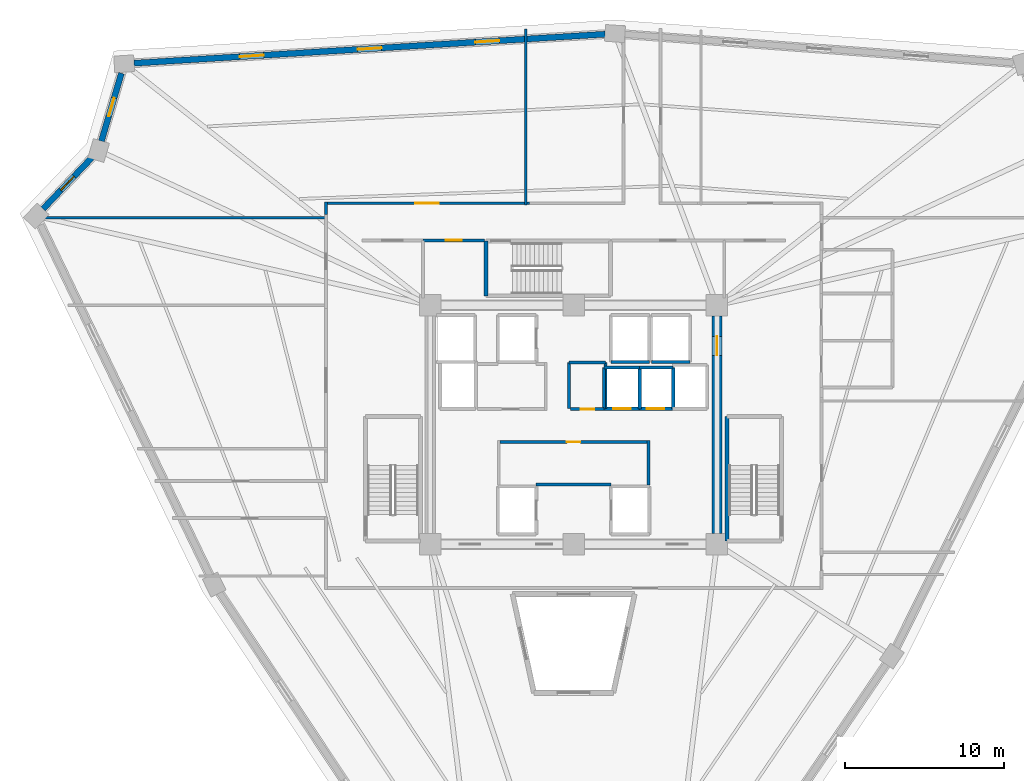
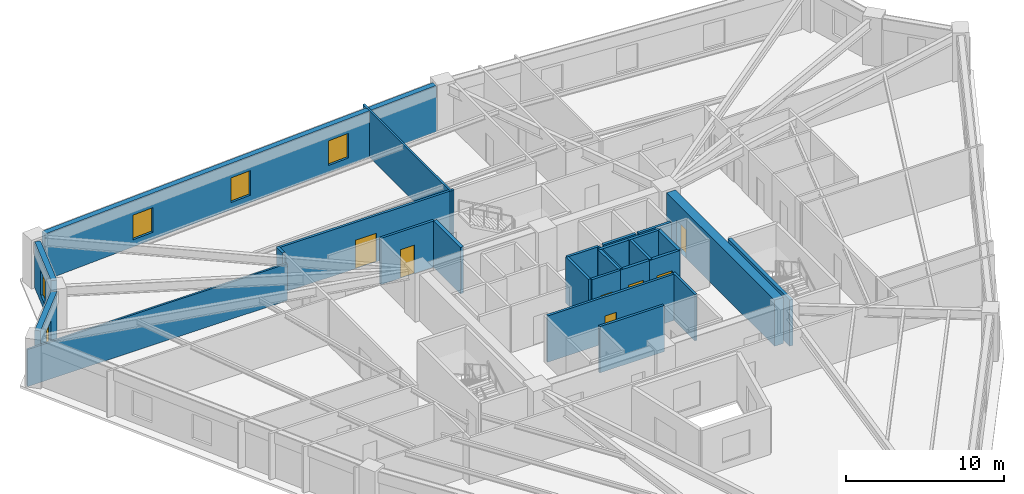
# One storey, part 5 of 8: 27 walls, 7 doors, 5 windows, 12 openings.
"""IFC4 building model written with IfcOpenShell, lengths in metres."""

from ifc_helpers import new_model, si_unit, direction, frame, frame_2d, origin, place, context, subcontext, project, spatial, rectangle, extrude, source, transform, mapped, material, layer, layer_set, type_object, element, fill, save


model = new_model("IFC4")

# Units and contexts
model_context = context("Model", 3, precision=1e-05, world=origin(), true_north=direction((0.0, 1.0)))
body_context = subcontext(model_context, "Body", "Model", "MODEL_VIEW")
ifc_project = project(units=[si_unit("LENGTHUNIT", "METRE"), si_unit("AREAUNIT", "SQUARE_METRE"), si_unit("VOLUMEUNIT", "CUBIC_METRE"), si_unit("PLANEANGLEUNIT", "RADIAN"), si_unit("MASSUNIT", "GRAM", prefix="KILO")], contexts=[model_context])

# Site, building, storey
site_placement = place(None, origin())
site = spatial("IfcSite", under=ifc_project, at=site_placement, CompositionType="ELEMENT")
building_placement = place(site_placement, origin())
building = spatial("IfcBuilding", under=site, at=building_placement, Name="Liaohun Quay Tower", CompositionType="ELEMENT")
storey_placement = place(building_placement, frame((0.0, 0.0, 201.75)))
storey = spatial("IfcBuildingStorey", under=building, at=storey_placement, Name="L52", CompositionType="ELEMENT", Elevation=201.75)

# Wall, opening, door
ifc_material_1 = material(Name="Concrete C55", Category="concrete")
ifc_layer_1 = layer(ifc_material_1, 0.64990234375, Name="Concrete C55", Category="concrete")
ifc_layer_set_1 = layer_set([ifc_layer_1], Name="Concrete C55")
wall_type_1 = type_object("IfcWallType", Name="WAL-COR-Z3", PredefinedType="SHEAR", material=ifc_layer_set_1)
wall_1_placement = place(storey_placement, frame((69.0, 60.824951171875, 0.0), z_axis=(0.0, 0.0, 1.0), x_axis=(0.0, -1.0, 0.0)))
wall_1 = element("IfcWall", 1, at=wall_1_placement, inside=storey, type_object=wall_type_1, Name="L52 Central Core Shear Wall E", PredefinedType="SHEAR", context=body_context, shape_type="SweptSolid", body=[
    extrude(rectangle(XDim=13.64990234375, YDim=0.64990234375, at=frame_2d((6.824951171875, 0.0))), origin(), (0.0, 0.0, 1.0), 3.570068359375),
])
shared_shape_1 = source(origin(), body_context, "Body", "SweptSolid", [
    extrude(rectangle(XDim=1.199951171875, YDim=2.199951171875, at=frame_2d((0.60009765625, 1.10009765625))), frame((0.0, 0.3349609375, 0.0), z_axis=(0.0, -1.0, 0.0), x_axis=(1.0, 0.0, 0.0)), (0.0, 0.0, 1.0), 0.669921875),
])
opening_1_placement = place(wall_1_placement, frame((1.27490234375, 0.0, 0.0)))
opening_1 = element("IfcOpeningElement", 2, at=opening_1_placement, cuts=wall_1, Name="Opening SD1", PredefinedType="OPENING", context=body_context, shape_type="MappedRepresentation", body=[
    mapped(shared_shape_1, transform((0.0, 0.0, 0.0), x_axis=(1.0, 0.0, 0.0), y_axis=(0.0, 1.0, 0.0), z_axis=(0.0, 0.0, 1.0), scale=1.0)),
])
ifc_material_2 = material(Name="Galvanised steel fire door", Category="steel")
door_type_1 = type_object("IfcDoorType", Name="DOR-STR-1200", OperationType="NOTDEFINED", PredefinedType="DOOR", material=ifc_material_2)
shared_shape_2 = source(origin(), body_context, "Body", "SweptSolid", [
    extrude(rectangle(XDim=1.199951171875, YDim=2.199951171875, at=frame_2d((0.60009765625, 1.10009765625))), frame((0.0, 0.02490234375, 0.0), z_axis=(0.0, -1.0, 0.0), x_axis=(1.0, 0.0, 0.0)), (0.0, 0.0, 1.0), 0.050048828125),
])
door_1_placement = place(opening_1_placement, origin())
door_1 = element("IfcDoor", 3, at=door_1_placement, inside=storey, type_object=door_type_1, Name="L52 North-East Core Lobby Smokeproof Door", OperationType="SINGLE_SWING_LEFT", OverallHeight=2.199951171875, OverallWidth=1.199951171875, PredefinedType="DOOR", context=body_context, shape_type="MappedRepresentation", body=[
    mapped(shared_shape_2, transform((0.0, 0.0, 0.0), x_axis=(1.0, 0.0, 0.0), y_axis=(0.0, 1.0, 0.0), z_axis=(0.0, 0.0, 1.0), scale=1.0)),
])
fill(opening_1, door_1)

# Wall, openings, windows
ifc_material_3 = material(Name="Precast concrete C50 insulated sandwich", Category="concrete")
ifc_layer_2 = layer(ifc_material_3, 0.3798828125, Name="Precast concrete C50 insulated sandwich", Category="concrete")
ifc_layer_set_2 = layer_set([ifc_layer_2], Name="Precast concrete C50 insulated sandwich")
wall_type_2 = type_object("IfcWallType", Name="WAL-EXT-Z34", PredefinedType="SOLIDWALL", material=ifc_layer_set_2)
wall_2_placement = place(storey_placement, frame((61.97900390625, 78.52392578125, 0.0), z_axis=(0.0, 0.0, 1.0), x_axis=(-0.998104910724, -0.061535251593, 0.0)))
wall_2 = element("IfcWall", 4, at=wall_2_placement, inside=storey, type_object=wall_type_2, Name="L52 Brutalist Precast Pier Wall 07", PredefinedType="SOLIDWALL", context=body_context, shape_type="SweptSolid", body=[
    extrude(rectangle(XDim=29.64111328125, YDim=0.3798828125, at=frame_2d((14.820556640625, 0.0))), origin(), (0.0, 0.0, 1.0), 3.570068359375),
])
shared_shape_3 = source(origin(), body_context, "Body", "SweptSolid", [
    extrude(rectangle(XDim=1.5, YDim=1.89990234375, at=frame_2d((0.75, 0.949951171875))), frame((0.0, 0.199951171875, 0.0), z_axis=(0.0, -1.0, 0.0), x_axis=(1.0, 0.0, 0.0)), (0.0, 0.0, 1.0), 0.39990234375),
])
opening_2_placement = place(wall_2_placement, frame((6.659912109375, 0.0, 0.550048828125)))
opening_2 = element("IfcOpeningElement", 5, at=opening_2_placement, cuts=wall_2, Name="Opening W03", PredefinedType="OPENING", context=body_context, shape_type="MappedRepresentation", body=[
    mapped(shared_shape_3, transform((0.0, 0.0, 0.0), x_axis=(1.0, 0.0, 0.0), y_axis=(0.0, 1.0, 0.0), z_axis=(0.0, 0.0, 1.0), scale=1.0)),
])
opening_3_placement = place(wall_2_placement, frame((14.071044921875, 0.0, 0.550048828125)))
opening_3 = element("IfcOpeningElement", 6, at=opening_3_placement, cuts=wall_2, Name="Opening W03", PredefinedType="OPENING", context=body_context, shape_type="MappedRepresentation", body=[
    mapped(shared_shape_3, transform((0.0, 0.0, 0.0), x_axis=(1.0, 0.0, 0.0), y_axis=(0.0, 1.0, 0.0), z_axis=(0.0, 0.0, 1.0), scale=1.0)),
])
opening_4_placement = place(wall_2_placement, frame((21.48095703125, 0.0, 0.550048828125)))
opening_4 = element("IfcOpeningElement", 7, at=opening_4_placement, cuts=wall_2, Name="Opening W03", PredefinedType="OPENING", context=body_context, shape_type="MappedRepresentation", body=[
    mapped(shared_shape_3, transform((0.0, 0.0, 0.0), x_axis=(1.0, 0.0, 0.0), y_axis=(0.0, 1.0, 0.0), z_axis=(0.0, 0.0, 1.0), scale=1.0)),
])
ifc_material_4 = material(Name="Triple Low-E argon glazing in thermally broken aluminium", Category="aluminium")
window_type_1 = type_object("IfcWindowType", Name="WIN-PUN-Z3", PartitioningType="DOUBLE_PANEL_VERTICAL", PredefinedType="WINDOW", material=ifc_material_4)
shared_shape_4 = source(origin(), body_context, "Body", "SweptSolid", [
    extrude(rectangle(XDim=1.5, YDim=1.89990234375, at=frame_2d((0.75, 0.949951171875))), frame((0.0, 0.030029296875, 0.0), z_axis=(0.0, -1.0, 0.0), x_axis=(1.0, 0.0, 0.0)), (0.0, 0.0, 1.0), 0.06005859375),
])
window_1_placement = place(opening_2_placement, origin())
window_1 = element("IfcWindow", 8, at=window_1_placement, inside=storey, type_object=window_type_1, Name="L52 Recessed Cold-Climate Punched Window 07-1", OverallHeight=1.89990234375, OverallWidth=1.5, PartitioningType="DOUBLE_PANEL_VERTICAL", PredefinedType="WINDOW", context=body_context, shape_type="MappedRepresentation", body=[
    mapped(shared_shape_4, transform((0.0, 0.0, 0.0), x_axis=(1.0, 0.0, 0.0), y_axis=(0.0, 1.0, 0.0), z_axis=(0.0, 0.0, 1.0), scale=1.0)),
])
fill(opening_2, window_1)
window_2_placement = place(opening_3_placement, origin())
window_2 = element("IfcWindow", 9, at=window_2_placement, inside=storey, type_object=window_type_1, Name="L52 Recessed Cold-Climate Punched Window 07-2", OverallHeight=1.89990234375, OverallWidth=1.5, PartitioningType="DOUBLE_PANEL_VERTICAL", PredefinedType="WINDOW", context=body_context, shape_type="MappedRepresentation", body=[
    mapped(shared_shape_4, transform((0.0, 0.0, 0.0), x_axis=(1.0, 0.0, 0.0), y_axis=(0.0, 1.0, 0.0), z_axis=(0.0, 0.0, 1.0), scale=1.0)),
])
fill(opening_3, window_2)
window_3_placement = place(opening_4_placement, origin())
window_3 = element("IfcWindow", 10, at=window_3_placement, inside=storey, type_object=window_type_1, Name="L52 Recessed Cold-Climate Punched Window 07-3", OverallHeight=1.89990234375, OverallWidth=1.5, PartitioningType="DOUBLE_PANEL_VERTICAL", PredefinedType="WINDOW", context=body_context, shape_type="MappedRepresentation", body=[
    mapped(shared_shape_4, transform((0.0, 0.0, 0.0), x_axis=(1.0, 0.0, 0.0), y_axis=(0.0, 1.0, 0.0), z_axis=(0.0, 0.0, 1.0), scale=1.0)),
])
fill(opening_4, window_3)

# Wall, opening, window
wall_3_placement = place(storey_placement, frame((31.60595703125, 76.072021484375, 0.0), z_axis=(0.0, 0.0, 1.0), x_axis=(-0.282591614123, -0.959240313804, 0.0)))
wall_3 = element("IfcWall", 11, at=wall_3_placement, inside=storey, type_object=wall_type_2, Name="L52 Brutalist Precast Pier Wall 08", PredefinedType="SOLIDWALL", context=body_context, shape_type="SweptSolid", body=[
    extrude(rectangle(XDim=4.444091796875, YDim=0.3798828125, at=frame_2d((2.22216796875, 0.0))), origin(), (0.0, 0.0, 1.0), 3.570068359375),
])
shared_shape_5 = source(origin(), body_context, "Body", "SweptSolid", [
    extrude(rectangle(XDim=1.199951171875, YDim=1.89990234375, at=frame_2d((0.60009765625, 0.949951171875))), frame((0.0, 0.199951171875, 0.0), z_axis=(0.0, -1.0, 0.0), x_axis=(1.0, 0.0, 0.0)), (0.0, 0.0, 1.0), 0.39990234375),
])
opening_5_placement = place(wall_3_placement, frame((1.6220703125, 0.0, 0.550048828125)))
opening_5 = element("IfcOpeningElement", 12, at=opening_5_placement, cuts=wall_3, Name="Opening W05", PredefinedType="OPENING", context=body_context, shape_type="MappedRepresentation", body=[
    mapped(shared_shape_5, transform((0.0, 0.0, 0.0), x_axis=(1.0, 0.0, 0.0), y_axis=(0.0, 1.0, 0.0), z_axis=(0.0, 0.0, 1.0), scale=1.0)),
])
ifc_material_5 = material(Name="Triple Low-E corner notch glazing", Category="glass")
window_type_2 = type_object("IfcWindowType", Name="WIN-NOTCH", PartitioningType="SINGLE_PANEL", PredefinedType="WINDOW", material=ifc_material_5)
shared_shape_6 = source(origin(), body_context, "Body", "SweptSolid", [
    extrude(rectangle(XDim=1.199951171875, YDim=1.89990234375, at=frame_2d((0.60009765625, 0.949951171875))), frame((0.0, 0.030029296875, 0.0), z_axis=(0.0, -1.0, 0.0), x_axis=(1.0, 0.0, 0.0)), (0.0, 0.0, 1.0), 0.06005859375),
])
window_4_placement = place(opening_5_placement, origin())
window_4 = element("IfcWindow", 13, at=window_4_placement, inside=storey, type_object=window_type_2, Name="L52 Corner Notch Window W05-08", OverallHeight=1.89990234375, OverallWidth=1.199951171875, PartitioningType="SINGLE_PANEL", PredefinedType="WINDOW", context=body_context, shape_type="MappedRepresentation", body=[
    mapped(shared_shape_6, transform((0.0, 0.0, 0.0), x_axis=(1.0, 0.0, 0.0), y_axis=(0.0, 1.0, 0.0), z_axis=(0.0, 0.0, 1.0), scale=1.0)),
])
fill(opening_5, window_4)

wall_4_placement = place(storey_placement, frame((29.751953125, 70.77294921875, 0.0), z_axis=(0.0, 0.0, 1.0), x_axis=(-0.689477097778, -0.724307484181, 0.0)))
wall_4 = element("IfcWall", 14, at=wall_4_placement, inside=storey, type_object=wall_type_2, Name="L52 Brutalist Precast Pier Wall 09", PredefinedType="SOLIDWALL", context=body_context, shape_type="SweptSolid", body=[
    extrude(rectangle(XDim=4.450927734375, YDim=0.3798828125, at=frame_2d((2.2255859375, 0.0))), origin(), (0.0, 0.0, 1.0), 3.570068359375),
])
opening_6_placement = place(wall_4_placement, frame((1.6259765625, 0.0, 0.550048828125)))
opening_6 = element("IfcOpeningElement", 15, at=opening_6_placement, cuts=wall_4, Name="Opening W05", PredefinedType="OPENING", context=body_context, shape_type="MappedRepresentation", body=[
    mapped(shared_shape_5, transform((0.0, 0.0, 0.0), x_axis=(1.0, 0.0, 0.0), y_axis=(0.0, 1.0, 0.0), z_axis=(0.0, 0.0, 1.0), scale=1.0)),
])
window_5_placement = place(opening_6_placement, origin())
window_5 = element("IfcWindow", 16, at=window_5_placement, inside=storey, type_object=window_type_2, Name="L52 Corner Notch Window W05-09", OverallHeight=1.89990234375, OverallWidth=1.199951171875, PartitioningType="SINGLE_PANEL", PredefinedType="WINDOW", context=body_context, shape_type="MappedRepresentation", body=[
    mapped(shared_shape_6, transform((0.0, 0.0, 0.0), x_axis=(1.0, 0.0, 0.0), y_axis=(0.0, 1.0, 0.0), z_axis=(0.0, 0.0, 1.0), scale=1.0)),
])
fill(opening_6, window_5)

# Wall, opening, door
ifc_material_6 = material(Name="Autoclaved aerated concrete blockwork", Category="masonry")
ifc_layer_3 = layer(ifc_material_6, 0.179931640625, Name="Autoclaved aerated concrete blockwork", Category="masonry")
ifc_layer_set_3 = layer_set([ifc_layer_3], Name="Autoclaved aerated concrete blockwork")
wall_type_3 = type_object("IfcWallType", Name="WAL-PRT-COR", PredefinedType="PARTITIONING", material=ifc_layer_set_3)
wall_5_placement = place(storey_placement, frame((55.389892578125, 52.919921875, 0.0), z_axis=(0.0, 0.0, 1.0), x_axis=(1.0, 0.0, 0.0)))
wall_5 = element("IfcWall", 17, at=wall_5_placement, inside=storey, type_object=wall_type_3, Name="L52 Interior Partition Wall 001", PredefinedType="PARTITIONING", context=body_context, shape_type="SweptSolid", body=[
    extrude(rectangle(XDim=9.22021484375, YDim=0.179931640625, at=frame_2d((4.610107421875, 0.0))), origin(), (0.0, 0.0, 1.0), 3.570068359375),
])
shared_shape_7 = source(origin(), body_context, "Body", "SweptSolid", [
    extrude(rectangle(XDim=0.85009765625, YDim=2.10009765625, at=frame_2d((0.425048828125, 1.050048828125))), frame((0.0, 0.099853515625, 0.0), z_axis=(0.0, -1.0, 0.0), x_axis=(1.0, 0.0, 0.0)), (0.0, 0.0, 1.0), 0.199951171875),
])
opening_7_placement = place(wall_5_placement, frame((4.18505859375, 0.0, 0.0)))
opening_7 = element("IfcOpeningElement", 18, at=opening_7_placement, cuts=wall_5, Name="Opening AD1", PredefinedType="OPENING", context=body_context, shape_type="MappedRepresentation", body=[
    mapped(shared_shape_7, transform((0.0, 0.0, 0.0), x_axis=(1.0, 0.0, 0.0), y_axis=(0.0, 1.0, 0.0), z_axis=(0.0, 0.0, 1.0), scale=1.0)),
])
ifc_material_7 = material(Name="Steel riser inspection fire door", Category="steel")
door_type_2 = type_object("IfcDoorType", Name="DOR-SHF-850", OperationType="NOTDEFINED", PredefinedType="DOOR", material=ifc_material_7)
shared_shape_8 = source(origin(), body_context, "Body", "SweptSolid", [
    extrude(rectangle(XDim=0.85009765625, YDim=2.10009765625, at=frame_2d((0.425048828125, 1.050048828125))), frame((0.0, 0.02490234375, 0.0), z_axis=(0.0, -1.0, 0.0), x_axis=(1.0, 0.0, 0.0)), (0.0, 0.0, 1.0), 0.050048828125),
])
door_2_placement = place(opening_7_placement, origin())
door_2 = element("IfcDoor", 19, at=door_2_placement, inside=storey, type_object=door_type_2, Name="L52 Core Tenant Storage and Archive Room Door", OperationType="SINGLE_SWING_RIGHT", OverallHeight=2.10009765625, OverallWidth=0.85009765625, PredefinedType="DOOR", context=body_context, shape_type="MappedRepresentation", body=[
    mapped(shared_shape_8, transform((0.0, 0.0, 0.0), x_axis=(1.0, 0.0, 0.0), y_axis=(0.0, 1.0, 0.0), z_axis=(0.0, 0.0, 1.0), scale=1.0)),
])
fill(opening_7, door_2)

wall_6_placement = place(storey_placement, frame((59.81005859375, 54.97998046875, 0.0), z_axis=(0.0, 0.0, 1.0), x_axis=(1.0, 0.0, 0.0)))
wall_6 = element("IfcWall", 20, at=wall_6_placement, inside=storey, type_object=wall_type_3, Name="L52 Interior Partition Wall 003", PredefinedType="PARTITIONING", context=body_context, shape_type="SweptSolid", body=[
    extrude(rectangle(XDim=2.08984375, YDim=0.179931640625, at=frame_2d((1.044921875, 0.0))), origin(), (0.0, 0.0, 1.0), 3.570068359375),
])
opening_8_placement = place(wall_6_placement, frame((0.635009765625, 0.0, 0.0)))
opening_8 = element("IfcOpeningElement", 21, at=opening_8_placement, cuts=wall_6, Name="Opening AD1", PredefinedType="OPENING", context=body_context, shape_type="MappedRepresentation", body=[
    mapped(shared_shape_7, transform((0.0, 0.0, 0.0), x_axis=(1.0, 0.0, 0.0), y_axis=(0.0, 1.0, 0.0), z_axis=(0.0, 0.0, 1.0), scale=1.0)),
])
door_3_placement = place(opening_8_placement, origin())
door_3 = element("IfcDoor", 22, at=door_3_placement, inside=storey, type_object=door_type_2, Name="L52 Core Electrical and Telecom Riser Room Door", OperationType="SINGLE_SWING_RIGHT", OverallHeight=2.10009765625, OverallWidth=0.85009765625, PredefinedType="DOOR", context=body_context, shape_type="MappedRepresentation", body=[
    mapped(shared_shape_8, transform((0.0, 0.0, 0.0), x_axis=(1.0, 0.0, 0.0), y_axis=(0.0, 1.0, 0.0), z_axis=(0.0, 0.0, 1.0), scale=1.0)),
])
fill(opening_8, door_3)

wall_7_placement = place(storey_placement, frame((50.5400390625, 65.580078125, 0.0), z_axis=(0.0, 0.0, 1.0), x_axis=(1.0, 0.0, 0.0)))
wall_7 = element("IfcWall", 23, at=wall_7_placement, inside=storey, type_object=wall_type_3, Name="L52 Interior Partition Wall 007", PredefinedType="PARTITIONING", context=body_context, shape_type="SweptSolid", body=[
    extrude(rectangle(XDim=3.869873046875, YDim=0.179931640625, at=frame_2d((1.93505859375, 0.0))), origin(), (0.0, 0.0, 1.0), 3.570068359375),
])
shared_shape_9 = source(origin(), body_context, "Body", "SweptSolid", [
    extrude(rectangle(XDim=1.0, YDim=2.199951171875, at=frame_2d((0.5, 1.10009765625))), frame((0.0, 0.099853515625, 0.0), z_axis=(0.0, -1.0, 0.0), x_axis=(1.0, 0.0, 0.0)), (0.0, 0.0, 1.0), 0.199951171875),
])
opening_9_placement = place(wall_7_placement, frame((1.43505859375, 0.0, 0.0)))
opening_9 = element("IfcOpeningElement", 24, at=opening_9_placement, cuts=wall_7, Name="Opening OD1", PredefinedType="OPENING", context=body_context, shape_type="MappedRepresentation", body=[
    mapped(shared_shape_9, transform((0.0, 0.0, 0.0), x_axis=(1.0, 0.0, 0.0), y_axis=(0.0, 1.0, 0.0), z_axis=(0.0, 0.0, 1.0), scale=1.0)),
])
ifc_material_8 = material(Name="Solid-core oak veneer timber leaf in steel frame", Category="steel")
door_type_3 = type_object("IfcDoorType", Name="DOR-OFF-1000", OperationType="NOTDEFINED", PredefinedType="DOOR", material=ifc_material_8)
shared_shape_10 = source(origin(), body_context, "Body", "SweptSolid", [
    extrude(rectangle(XDim=1.0, YDim=2.199951171875, at=frame_2d((0.5, 1.10009765625))), frame((0.0, 0.02490234375, 0.0), z_axis=(0.0, -1.0, 0.0), x_axis=(1.0, 0.0, 0.0)), (0.0, 0.0, 1.0), 0.050048828125),
])
door_4_placement = place(opening_9_placement, origin())
door_4 = element("IfcDoor", 25, at=door_4_placement, inside=storey, type_object=door_type_3, Name="L52 North-West Print and Telecom Room Door", OperationType="SINGLE_SWING_RIGHT", OverallHeight=2.199951171875, OverallWidth=1.0, PredefinedType="DOOR", context=body_context, shape_type="MappedRepresentation", body=[
    mapped(shared_shape_10, transform((0.0, 0.0, 0.0), x_axis=(1.0, 0.0, 0.0), y_axis=(0.0, 1.0, 0.0), z_axis=(0.0, 0.0, 1.0), scale=1.0)),
])
fill(opening_9, door_4)

wall_8_placement = place(storey_placement, frame((44.3701171875, 67.909912109375, 0.0), z_axis=(0.0, 0.0, 1.0), x_axis=(1.0, 0.0, 0.0)))
wall_8 = element("IfcWall", 26, at=wall_8_placement, inside=storey, type_object=wall_type_3, Name="L52 Interior Partition Wall 015", PredefinedType="PARTITIONING", context=body_context, shape_type="SweptSolid", body=[
    extrude(rectangle(XDim=12.844970703125, YDim=0.179931640625, at=frame_2d((6.42236328125, 0.0))), origin(), (0.0, 0.0, 1.0), 3.570068359375),
])
shared_shape_11 = source(origin(), body_context, "Body", "SweptSolid", [
    extrude(rectangle(XDim=1.5, YDim=2.199951171875, at=frame_2d((0.75, 1.10009765625))), frame((0.0, 0.099853515625, 0.0), z_axis=(0.0, -1.0, 0.0), x_axis=(1.0, 0.0, 0.0)), (0.0, 0.0, 1.0), 0.199951171875),
])
opening_10_placement = place(wall_8_placement, frame((5.673095703125, 0.0, 0.0)))
opening_10 = element("IfcOpeningElement", 27, at=opening_10_placement, cuts=wall_8, Name="Opening OD2", PredefinedType="OPENING", context=body_context, shape_type="MappedRepresentation", body=[
    mapped(shared_shape_11, transform((0.0, 0.0, 0.0), x_axis=(1.0, 0.0, 0.0), y_axis=(0.0, 1.0, 0.0), z_axis=(0.0, 0.0, 1.0), scale=1.0)),
])
ifc_material_9 = material(Name="Acoustic oak veneer double door")
door_type_4 = type_object("IfcDoorType", Name="DOR-OFF-1500", OperationType="DOUBLE_DOOR_SINGLE_SWING", PredefinedType="DOOR", material=ifc_material_9)
shared_shape_12 = source(origin(), body_context, "Body", "SweptSolid", [
    extrude(rectangle(XDim=1.5, YDim=2.199951171875, at=frame_2d((0.75, 1.10009765625))), frame((0.0, 0.02490234375, 0.0), z_axis=(0.0, -1.0, 0.0), x_axis=(1.0, 0.0, 0.0)), (0.0, 0.0, 1.0), 0.050048828125),
])
door_5_placement = place(opening_10_placement, origin())
door_5 = element("IfcDoor", 28, at=door_5_placement, inside=storey, type_object=door_type_4, Name="L52 Occupational Wellness Clinic 05 Door", OperationType="DOUBLE_DOOR_SINGLE_SWING", OverallHeight=2.199951171875, OverallWidth=1.5, PredefinedType="DOOR", context=body_context, shape_type="MappedRepresentation", body=[
    mapped(shared_shape_12, transform((0.0, 0.0, 0.0), x_axis=(1.0, 0.0, 0.0), y_axis=(0.0, 1.0, 0.0), z_axis=(0.0, 0.0, 1.0), scale=1.0)),
])
fill(opening_10, door_5)

# Walls
for number, where, z_axis, x_axis, name in (
    (29, (59.719970703125, 55.02001953125, 0.0), (0.0, 0.0, 1.0), (0.0, 1.0, 0.0), "L52 Interior Partition Wall 023"),
    (30, (62.010009765625, 55.02001953125, 0.0), (0.0, 0.0, 1.0), (0.0, 1.0, 0.0), "L52 Interior Partition Wall 024"),
):
    element("IfcWall", number, at=place(storey_placement, frame(where, z_axis=z_axis, x_axis=x_axis)), inside=storey, type_object=wall_type_3, Name=name, PredefinedType="PARTITIONING", context=body_context, shape_type="SweptSolid", body=[
        extrude(rectangle(XDim=2.8798828125, YDim=0.179931640625, at=frame_2d((1.43994140625, 0.0))), origin(), (0.0, 0.0, 1.0), 3.570068359375),
    ])
wall_9_placement = place(storey_placement, frame((59.719970703125, 57.919921875, 0.0), z_axis=(0.0, 0.0, 1.0), x_axis=(1.0, 0.0, 0.0)))
element("IfcWall", 31, at=wall_9_placement, inside=storey, type_object=wall_type_3, Name="L52 Interior Partition Wall 025", PredefinedType="PARTITIONING", context=body_context, shape_type="SweptSolid", body=[
    extrude(rectangle(XDim=2.2900390625, YDim=0.179931640625, at=frame_2d((1.14501953125, 0.0))), origin(), (0.0, 0.0, 1.0), 3.570068359375),
])
wall_10_placement = place(storey_placement, frame((44.43994140625, 67.215087890625, 0.0), z_axis=(0.0, 0.0, 1.0), x_axis=(0.0, 1.0, 0.0)))
element("IfcWall", 32, at=wall_10_placement, inside=storey, type_object=wall_type_3, Name="L52 Interior Partition Wall 037", PredefinedType="PARTITIONING", context=body_context, shape_type="SweptSolid", body=[
    extrude(rectangle(XDim=0.764892578125, YDim=0.179931640625, at=frame_2d((0.38232421875, 0.0))), origin(), (0.0, 0.0, 1.0), 3.570068359375),
])
wall_11_placement = place(storey_placement, frame((64.699951171875, 50.219970703125, 0.0), z_axis=(0.0, 0.0, 1.0), x_axis=(0.0, 1.0, 0.0)))
element("IfcWall", 33, at=wall_11_placement, inside=storey, type_object=wall_type_3, Name="L52 Interior Partition Wall 053", PredefinedType="PARTITIONING", context=body_context, shape_type="SweptSolid", body=[
    extrude(rectangle(XDim=2.7900390625, YDim=0.179931640625, at=frame_2d((1.39501953125, 0.0))), origin(), (0.0, 0.0, 1.0), 3.570068359375),
])
wall_12_placement = place(storey_placement, frame((57.64990234375, 50.25, 0.0), z_axis=(0.0, 0.0, 1.0), x_axis=(1.0, 0.0, 0.0)))
element("IfcWall", 34, at=wall_12_placement, inside=storey, type_object=wall_type_3, Name="L52 Interior Partition Wall 054", PredefinedType="PARTITIONING", context=body_context, shape_type="SweptSolid", body=[
    extrude(rectangle(XDim=4.7001953125, YDim=0.179931640625, at=frame_2d((2.35009765625, 0.0))), origin(), (0.0, 0.0, 1.0), 3.570068359375),
])
ifc_material_10 = material(Name="Gypsum board on twin steel studs", Category="steel")
ifc_layer_4 = layer(ifc_material_10, 0.139892578125, Name="Gypsum board on twin steel studs", Category="steel")
ifc_layer_set_4 = layer_set([ifc_layer_4], Name="Gypsum board on twin steel studs")
wall_type_4 = type_object("IfcWallType", Name="WAL-PRT-OFF", PredefinedType="PARTITIONING", material=ifc_layer_set_4)
wall_13_placement = place(storey_placement, frame((44.5400390625, 67.0, 0.0), z_axis=(0.0, 0.0, 1.0), x_axis=(-1.0, 0.0, 0.0)))
element("IfcWall", 35, at=wall_13_placement, inside=storey, type_object=wall_type_4, Name="L52 Interior Partition Wall 045", PredefinedType="PARTITIONING", context=body_context, shape_type="SweptSolid", body=[
    extrude(rectangle(XDim=18.93115234375, YDim=0.139892578125, at=frame_2d((9.465576171875, 0.0))), origin(), (0.0, 0.0, 1.0), 2.85498046875),
])
wall_14_placement = place(storey_placement, frame((57.0, 67.81005859375, 0.0), z_axis=(0.0, 0.0, 1.0), x_axis=(0.0, 1.0, 0.0)))
element("IfcWall", 36, at=wall_14_placement, inside=storey, type_object=wall_type_4, Name="L52 Interior Partition Wall 050", PredefinedType="PARTITIONING", context=body_context, shape_type="SweptSolid", body=[
    extrude(rectangle(XDim=11.037841796875, YDim=0.139892578125, at=frame_2d((5.51904296875, 0.0))), origin(), (0.0, 0.0, 1.0), 3.570068359375),
])
ifc_material_11 = material(Name="Concrete C50", Category="concrete")
ifc_layer_5 = layer(ifc_material_11, 0.239990234375, Name="Concrete C50", Category="concrete")
ifc_layer_set_5 = layer_set([ifc_layer_5], Name="Concrete C50")
wall_type_5 = type_object("IfcWallType", Name="WAL-SHF-200", PredefinedType="SOLIDWALL", material=ifc_layer_set_5)
wall_15_placement = place(storey_placement, frame((69.6201171875, 54.52001953125, 0.0), z_axis=(0.0, 0.0, 1.0), x_axis=(0.0, -1.0, 0.0)))
element("IfcWall", 37, at=wall_15_placement, inside=storey, type_object=wall_type_5, Name="L52 Stairwell ST-2 Structural Core Wall W", PredefinedType="SOLIDWALL", context=body_context, shape_type="SweptSolid", body=[
    extrude(rectangle(XDim=7.820068359375, YDim=0.239990234375, at=frame_2d((3.91015625, 0.0))), origin(), (0.0, 0.0, 1.0), 3.570068359375),
])
wall_16_placement = place(storey_placement, frame((54.5, 65.5400390625, 0.0), z_axis=(0.0, 0.0, 1.0), x_axis=(0.0, -1.0, 0.0)))
element("IfcWall", 38, at=wall_16_placement, inside=storey, type_object=wall_type_5, Name="L52 Stairwell ST-3 Structural Core Wall W", PredefinedType="SOLIDWALL", context=body_context, shape_type="SweptSolid", body=[
    extrude(rectangle(XDim=3.43994140625, YDim=0.239990234375, at=frame_2d((1.719970703125, 0.0))), origin(), (0.0, 0.0, 1.0), 3.570068359375),
])
wall_17_placement = place(storey_placement, frame((62.35009765625, 57.949951171875, 0.0), z_axis=(0.0, 0.0, 1.0), x_axis=(1.0, 0.0, 0.0)))
element("IfcWall", 39, at=wall_17_placement, inside=storey, type_object=wall_type_5, Name="L52 Lift OB-01 Hoistway Wall S", PredefinedType="SOLIDWALL", context=body_context, shape_type="SweptSolid", body=[
    extrude(rectangle(XDim=2.39990234375, YDim=0.199951171875, at=frame_2d((1.199951171875, 0.0))), origin(), (0.0, 0.0, 1.0), 3.570068359375),
])
wall_18_placement = place(storey_placement, frame((64.89990234375, 57.949951171875, 0.0), z_axis=(0.0, 0.0, 1.0), x_axis=(1.0, 0.0, 0.0)))
element("IfcWall", 40, at=wall_18_placement, inside=storey, type_object=wall_type_5, Name="L52 Lift OB-02 Hoistway Wall S", PredefinedType="SOLIDWALL", context=body_context, shape_type="SweptSolid", body=[
    extrude(rectangle(XDim=2.400146484375, YDim=0.199951171875, at=frame_2d((1.2001953125, 0.0))), origin(), (0.0, 0.0, 1.0), 3.570068359375),
])

# Wall, opening, door
wall_19_placement = place(storey_placement, frame((61.89990234375, 55.0, 0.0), z_axis=(0.0, 0.0, 1.0), x_axis=(1.0, 0.0, 0.0)))
wall_19 = element("IfcWall", 41, at=wall_19_placement, inside=storey, type_object=wall_type_5, Name="L52 Lift PL-3A Hoistway Wall S", PredefinedType="SOLIDWALL", context=body_context, shape_type="SweptSolid", body=[
    extrude(rectangle(XDim=2.25, YDim=0.199951171875, at=frame_2d((1.125, 0.0))), origin(), (0.0, 0.0, 1.0), 3.570068359375),
])
shared_shape_13 = source(origin(), body_context, "Body", "SweptSolid", [
    extrude(rectangle(XDim=1.10009765625, YDim=2.199951171875, at=frame_2d((0.550048828125, 1.10009765625))), frame((0.0, 0.10986328125, 0.0), z_axis=(0.0, -1.0, 0.0), x_axis=(1.0, 0.0, 0.0)), (0.0, 0.0, 1.0), 0.219970703125),
])
opening_11_placement = place(wall_19_placement, frame((0.574951171875, 0.0, 0.0)))
opening_11 = element("IfcOpeningElement", 42, at=opening_11_placement, cuts=wall_19, Name="Opening LD1", PredefinedType="OPENING", context=body_context, shape_type="MappedRepresentation", body=[
    mapped(shared_shape_13, transform((0.0, 0.0, 0.0), x_axis=(1.0, 0.0, 0.0), y_axis=(0.0, 1.0, 0.0), z_axis=(0.0, 0.0, 1.0), scale=1.0)),
])
ifc_material_12 = material(Name="Brushed stainless steel landing door", Category="steel")
door_type_5 = type_object("IfcDoorType", Name="DOR-LFT-1100", OperationType="SLIDING_TO_LEFT", PredefinedType="DOOR", material=ifc_material_12)
shared_shape_14 = source(origin(), body_context, "Body", "SweptSolid", [
    extrude(rectangle(XDim=1.10009765625, YDim=2.199951171875, at=frame_2d((0.550048828125, 1.10009765625))), frame((0.0, 0.02490234375, 0.0), z_axis=(0.0, -1.0, 0.0), x_axis=(1.0, 0.0, 0.0)), (0.0, 0.0, 1.0), 0.050048828125),
])
door_6_placement = place(opening_11_placement, origin())
door_6 = element("IfcDoor", 43, at=door_6_placement, inside=storey, type_object=door_type_5, Name="L52 Lift PL-3A Sliding Landing Door", OperationType="SLIDING_TO_LEFT", OverallHeight=2.199951171875, OverallWidth=1.10009765625, PredefinedType="DOOR", context=body_context, shape_type="MappedRepresentation", body=[
    mapped(shared_shape_14, transform((0.0, 0.0, 0.0), x_axis=(1.0, 0.0, 0.0), y_axis=(0.0, 1.0, 0.0), z_axis=(0.0, 0.0, 1.0), scale=1.0)),
])
fill(opening_11, door_6)

# Walls
wall_20_placement = place(storey_placement, frame((64.14990234375, 55.0, 0.0), z_axis=(0.0, 0.0, 1.0), x_axis=(0.0, 1.0, 0.0)))
element("IfcWall", 44, at=wall_20_placement, inside=storey, type_object=wall_type_5, Name="L52 Lift PL-3A Hoistway Wall E", PredefinedType="SOLIDWALL", context=body_context, shape_type="SweptSolid", body=[
    extrude(rectangle(XDim=2.60009765625, YDim=0.199951171875, at=frame_2d((1.300048828125, 0.0))), origin(), (0.0, 0.0, 1.0), 3.570068359375),
])
wall_21_placement = place(storey_placement, frame((64.14990234375, 57.60009765625, 0.0), z_axis=(0.0, 0.0, 1.0), x_axis=(-1.0, 0.0, 0.0)))
element("IfcWall", 45, at=wall_21_placement, inside=storey, type_object=wall_type_5, Name="L52 Lift PL-3A Hoistway Wall N", PredefinedType="SOLIDWALL", context=body_context, shape_type="SweptSolid", body=[
    extrude(rectangle(XDim=2.25, YDim=0.199951171875, at=frame_2d((1.125, 0.0))), origin(), (0.0, 0.0, 1.0), 3.570068359375),
])
wall_22_placement = place(storey_placement, frame((61.89990234375, 57.60009765625, 0.0), z_axis=(0.0, 0.0, 1.0), x_axis=(0.0, -1.0, 0.0)))
element("IfcWall", 46, at=wall_22_placement, inside=storey, type_object=wall_type_5, Name="L52 Lift PL-3A Hoistway Wall W", PredefinedType="SOLIDWALL", context=body_context, shape_type="SweptSolid", body=[
    extrude(rectangle(XDim=2.60009765625, YDim=0.199951171875, at=frame_2d((1.300048828125, 0.0))), origin(), (0.0, 0.0, 1.0), 3.570068359375),
])

# Wall, opening, door
wall_23_placement = place(storey_placement, frame((64.0, 55.0, 0.0), z_axis=(0.0, 0.0, 1.0), x_axis=(1.0, 0.0, 0.0)))
wall_23 = element("IfcWall", 47, at=wall_23_placement, inside=storey, type_object=wall_type_5, Name="L52 Lift PL-3B Hoistway Wall S", PredefinedType="SOLIDWALL", context=body_context, shape_type="SweptSolid", body=[
    extrude(rectangle(XDim=2.25, YDim=0.199951171875, at=frame_2d((1.125, 0.0))), origin(), (0.0, 0.0, 1.0), 3.570068359375),
])
opening_12_placement = place(wall_23_placement, frame((0.574951171875, 0.0, 0.0)))
opening_12 = element("IfcOpeningElement", 48, at=opening_12_placement, cuts=wall_23, Name="Opening LD1", PredefinedType="OPENING", context=body_context, shape_type="MappedRepresentation", body=[
    mapped(shared_shape_13, transform((0.0, 0.0, 0.0), x_axis=(1.0, 0.0, 0.0), y_axis=(0.0, 1.0, 0.0), z_axis=(0.0, 0.0, 1.0), scale=1.0)),
])
door_7_placement = place(opening_12_placement, origin())
door_7 = element("IfcDoor", 49, at=door_7_placement, inside=storey, type_object=door_type_5, Name="L52 Lift PL-3B Sliding Landing Door", OperationType="SLIDING_TO_LEFT", OverallHeight=2.199951171875, OverallWidth=1.10009765625, PredefinedType="DOOR", context=body_context, shape_type="MappedRepresentation", body=[
    mapped(shared_shape_14, transform((0.0, 0.0, 0.0), x_axis=(1.0, 0.0, 0.0), y_axis=(0.0, 1.0, 0.0), z_axis=(0.0, 0.0, 1.0), scale=1.0)),
])
fill(opening_12, door_7)

# Walls
wall_24_placement = place(storey_placement, frame((66.25, 55.0, 0.0), z_axis=(0.0, 0.0, 1.0), x_axis=(0.0, 1.0, 0.0)))
element("IfcWall", 50, at=wall_24_placement, inside=storey, type_object=wall_type_5, Name="L52 Lift PL-3B Hoistway Wall E", PredefinedType="SOLIDWALL", context=body_context, shape_type="SweptSolid", body=[
    extrude(rectangle(XDim=2.60009765625, YDim=0.199951171875, at=frame_2d((1.300048828125, 0.0))), origin(), (0.0, 0.0, 1.0), 3.570068359375),
])
wall_25_placement = place(storey_placement, frame((66.25, 57.60009765625, 0.0), z_axis=(0.0, 0.0, 1.0), x_axis=(-1.0, 0.0, 0.0)))
element("IfcWall", 51, at=wall_25_placement, inside=storey, type_object=wall_type_5, Name="L52 Lift PL-3B Hoistway Wall N", PredefinedType="SOLIDWALL", context=body_context, shape_type="SweptSolid", body=[
    extrude(rectangle(XDim=2.25, YDim=0.199951171875, at=frame_2d((1.125, 0.0))), origin(), (0.0, 0.0, 1.0), 3.570068359375),
])

save(model, "model.ifc")
